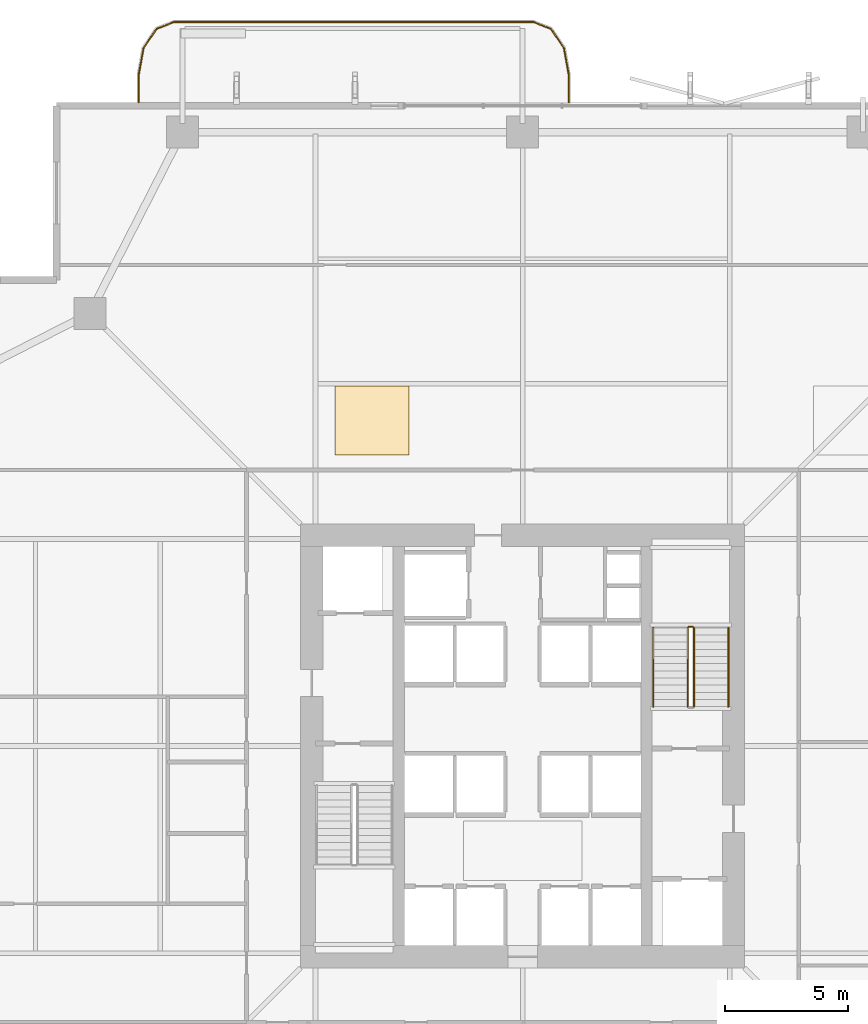
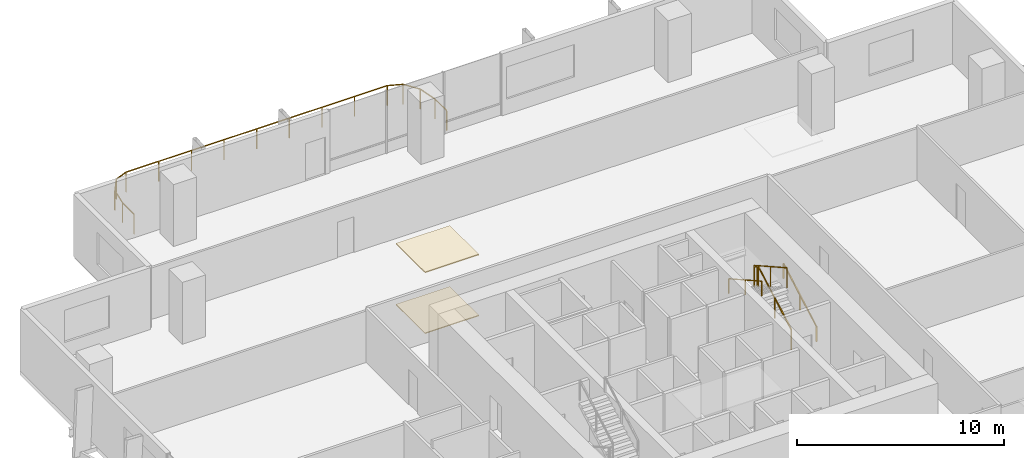
# One storey, part 23 of 24: 6 railings, 2 coverings.
"""IFC4 building model written with IfcOpenShell, lengths in metres."""

from ifc_helpers import new_model, si_unit, direction, frame, origin, origin_2d, place, context, subcontext, project, spatial, polyline, rectangle, outline, extrude, material, layer, layer_set, type_object, element, save


model = new_model("IFC4")

# Units and contexts
model_context = context("Model", 3, precision=1e-05, world=origin(), true_north=direction((0.0, 1.0)))
body_context = subcontext(model_context, "Body", "Model", "MODEL_VIEW")
ifc_project = project(units=[si_unit("LENGTHUNIT", "METRE"), si_unit("AREAUNIT", "SQUARE_METRE"), si_unit("VOLUMEUNIT", "CUBIC_METRE"), si_unit("PLANEANGLEUNIT", "RADIAN"), si_unit("MASSUNIT", "GRAM", prefix="KILO")], contexts=[model_context])

# Site, building, storey
site_placement = place(None, origin())
site = spatial("IfcSite", under=ifc_project, at=site_placement, CompositionType="ELEMENT")
building_placement = place(site_placement, origin())
building = spatial("IfcBuilding", under=site, at=building_placement, Name="Belovzor Exchange Tower", CompositionType="ELEMENT")
storey_placement = place(building_placement, frame((0.0, 0.0, 121.199951171875)))
storey = spatial("IfcBuildingStorey", under=building, at=storey_placement, Name="L29", CompositionType="ELEMENT", Elevation=121.199951171875)

# Railings
ifc_material_1 = material(Name="Stainless Steel Grade 304", Category="steel")
railing_type_1 = type_object("IfcRailingType", Name="Brushed Stainless Steel Stair Handrail 900", PredefinedType="HANDRAIL", material=ifc_material_1)
railing_1_placement = place(storey_placement, frame((37.14990234375, 30.39990234375, 0.16259765625)))
element("IfcRailing", 1, at=railing_1_placement, inside=storey, type_object=railing_type_1, Name="L29 ST-2 stair handrail 1", PredefinedType="HANDRAIL", context=body_context, shape_type="SweptSolid", body=[
    extrude(rectangle(XDim=0.048095703125, YDim=0.048095703125, at=origin_2d()), frame((0.0, 0.0, 0.8759765625), z_axis=(0.0, 0.872406949647, 0.488780230991), x_axis=(-1.0, 0.0, 0.0)), (0.0, 0.0, 1.0), 3.65673828125),
    extrude(rectangle(XDim=0.0419921875, YDim=0.0419921875, at=origin_2d()), origin(), (0.0, 0.0, 1.0), 0.851806640625),
    extrude(rectangle(XDim=0.0419921875, YDim=0.0419921875, at=origin_2d()), frame((0.0, 1.59521484375, 0.8935546875)), (0.0, 0.0, 1.0), 0.851806640625),
    extrude(rectangle(XDim=0.0419921875, YDim=0.0419921875, at=origin_2d()), frame((0.0, 3.190185546875, 1.787353515625)), (0.0, 0.0, 1.0), 0.851806640625),
])
railing_2_placement = place(storey_placement, frame((34.10009765625, 33.590087890625, 2.112548828125)))
element("IfcRailing", 2, at=railing_2_placement, inside=storey, type_object=railing_type_1, Name="L29 ST-2 stair handrail 2", PredefinedType="HANDRAIL", context=body_context, shape_type="SweptSolid", body=[
    extrude(rectangle(XDim=0.048095703125, YDim=0.048095703125, at=origin_2d()), frame((0.0, 0.0, 0.8759765625), z_axis=(0.0, -0.87237847985, 0.488831042279), x_axis=(1.0, 0.0, 0.0)), (0.0, 0.0, 1.0), 3.656982421875),
    extrude(rectangle(XDim=0.0419921875, YDim=0.0419921875, at=origin_2d()), origin(), (0.0, 0.0, 1.0), 0.851806640625),
    extrude(rectangle(XDim=0.0419921875, YDim=0.0419921875, at=origin_2d()), frame((0.0, -1.59521484375, 0.893798828125)), (0.0, 0.0, 1.0), 0.851806640625),
    extrude(rectangle(XDim=0.0419921875, YDim=0.0419921875, at=origin_2d()), frame((0.0, -3.190185546875, 1.78759765625)), (0.0, 0.0, 1.0), 0.851806640625),
])
ifc_material_2 = material(Name="Stainless Steel and Laminated Safety Glass", Category="steel")
railing_type_2 = type_object("IfcRailingType", Name="Laminated Glass & Stainless Steel Balcony Balustrade 1200", PredefinedType="BALUSTRADE", material=ifc_material_2)
railing_3_placement = place(storey_placement, frame((30.669921875, 54.909912109375, 0.0)))
element("IfcRailing", 3, at=railing_3_placement, inside=storey, type_object=railing_type_2, Name="GR-1 Balcony Balustrade L29 North", PredefinedType="BALUSTRADE", context=body_context, shape_type="SweptSolid", body=[
    extrude(rectangle(XDim=0.048095703125, YDim=0.048095703125, at=origin_2d()), frame((0.0, 0.0, 1.17578125), z_axis=(0.0, 1.0, 0.0), x_axis=(-1.0, 0.0, 0.0)), (0.0, 0.0, 1.0), 1.133056640625),
    extrude(rectangle(XDim=0.048095703125, YDim=0.048095703125, at=origin_2d()), frame((0.0, 1.133056640625, 1.17578125), z_axis=(-0.180122719713, 0.983644145941, 0.0), x_axis=(-0.983644145941, -0.180122719713, 0.0)), (0.0, 0.0, 1.0), 1.09375),
    extrude(rectangle(XDim=0.048095703125, YDim=0.048095703125, at=origin_2d()), frame((-0.197021484375, 2.208984375, 1.17578125), z_axis=(-0.562768145367, 0.826614792125, 0.0), x_axis=(-0.826614792125, -0.562768145367, 0.0)), (0.0, 0.0, 1.0), 0.9326171875),
    extrude(rectangle(XDim=0.048095703125, YDim=0.048095703125, at=origin_2d()), frame((-0.721923828125, 2.97998046875, 1.17578125), z_axis=(-0.930766990125, 0.365612923861, 0.0), x_axis=(-0.365612923861, -0.930766990125, 0.0)), (0.0, 0.0, 1.0), 0.765869140625),
    extrude(rectangle(XDim=0.048095703125, YDim=0.048095703125, at=origin_2d()), frame((-1.434814453125, 3.260009765625, 1.17578125), z_axis=(-1.0, 0.0, 0.0), x_axis=(0.0, -1.0, 0.0)), (0.0, 0.0, 1.0), 14.570068359375),
    extrude(rectangle(XDim=0.048095703125, YDim=0.048095703125, at=origin_2d()), frame((-16.0048828125, 3.260009765625, 1.17578125), z_axis=(-0.930809580156, -0.365504480807, 0.0), x_axis=(0.365504480807, -0.930809580156, 0.0)), (0.0, 0.0, 1.0), 0.76611328125),
    extrude(rectangle(XDim=0.048095703125, YDim=0.048095703125, at=origin_2d()), frame((-16.718017578125, 2.97998046875, 1.17578125), z_axis=(-0.562768145367, -0.826614792125, 0.0), x_axis=(0.826614792125, -0.562768145367, 0.0)), (0.0, 0.0, 1.0), 0.9326171875),
    extrude(rectangle(XDim=0.048095703125, YDim=0.048095703125, at=origin_2d()), frame((-17.242919921875, 2.208984375, 1.17578125), z_axis=(-0.180122719713, -0.983644145941, 0.0), x_axis=(0.983644145941, -0.180122719713, 0.0)), (0.0, 0.0, 1.0), 1.09375),
    extrude(rectangle(XDim=0.048095703125, YDim=0.048095703125, at=origin_2d()), frame((-17.43994140625, 1.133056640625, 1.17578125), z_axis=(0.0, -1.0, 0.0), x_axis=(1.0, 0.0, 0.0)), (0.0, 0.0, 1.0), 1.133056640625),
    extrude(rectangle(XDim=0.0419921875, YDim=0.0419921875, at=origin_2d()), origin(), (0.0, 0.0, 1.0), 1.15185546875),
    extrude(rectangle(XDim=0.0419921875, YDim=0.0419921875, at=origin_2d()), frame((0.0, 1.133056640625, 0.0)), (0.0, 0.0, 1.0), 1.15185546875),
    extrude(rectangle(XDim=0.0419921875, YDim=0.0419921875, at=origin_2d()), frame((-0.197021484375, 2.208984375, 0.0)), (0.0, 0.0, 1.0), 1.15185546875),
    extrude(rectangle(XDim=0.0419921875, YDim=0.0419921875, at=origin_2d()), frame((-0.721923828125, 2.97998046875, 0.0)), (0.0, 0.0, 1.0), 1.15185546875),
    extrude(rectangle(XDim=0.0419921875, YDim=0.0419921875, at=origin_2d()), frame((-1.434814453125, 3.260009765625, 0.0)), (0.0, 0.0, 1.0), 1.15185546875),
    extrude(rectangle(XDim=0.0419921875, YDim=0.0419921875, at=origin_2d()), frame((-3.256103515625, 3.260009765625, 0.0)), (0.0, 0.0, 1.0), 1.15185546875),
    extrude(rectangle(XDim=0.0419921875, YDim=0.0419921875, at=origin_2d()), frame((-5.077392578125, 3.260009765625, 0.0)), (0.0, 0.0, 1.0), 1.15185546875),
    extrude(rectangle(XDim=0.0419921875, YDim=0.0419921875, at=origin_2d()), frame((-6.898681640625, 3.260009765625, 0.0)), (0.0, 0.0, 1.0), 1.15185546875),
    extrude(rectangle(XDim=0.0419921875, YDim=0.0419921875, at=origin_2d()), frame((-8.7197265625, 3.260009765625, 0.0)), (0.0, 0.0, 1.0), 1.15185546875),
    extrude(rectangle(XDim=0.0419921875, YDim=0.0419921875, at=origin_2d()), frame((-10.541015625, 3.260009765625, 0.0)), (0.0, 0.0, 1.0), 1.15185546875),
    extrude(rectangle(XDim=0.0419921875, YDim=0.0419921875, at=origin_2d()), frame((-12.3623046875, 3.260009765625, 0.0)), (0.0, 0.0, 1.0), 1.15185546875),
    extrude(rectangle(XDim=0.0419921875, YDim=0.0419921875, at=origin_2d()), frame((-14.18359375, 3.260009765625, 0.0)), (0.0, 0.0, 1.0), 1.15185546875),
    extrude(rectangle(XDim=0.0419921875, YDim=0.0419921875, at=origin_2d()), frame((-16.0048828125, 3.260009765625, 0.0)), (0.0, 0.0, 1.0), 1.15185546875),
    extrude(rectangle(XDim=0.0419921875, YDim=0.0419921875, at=origin_2d()), frame((-16.718017578125, 2.97998046875, 0.0)), (0.0, 0.0, 1.0), 1.15185546875),
    extrude(rectangle(XDim=0.0419921875, YDim=0.0419921875, at=origin_2d()), frame((-17.242919921875, 2.208984375, 0.0)), (0.0, 0.0, 1.0), 1.15185546875),
    extrude(rectangle(XDim=0.0419921875, YDim=0.0419921875, at=origin_2d()), frame((-17.43994140625, 1.133056640625, 0.0)), (0.0, 0.0, 1.0), 1.15185546875),
    extrude(rectangle(XDim=0.0419921875, YDim=0.0419921875, at=origin_2d()), frame((-17.43994140625, 0.0, 0.0)), (0.0, 0.0, 1.0), 1.15185546875),
])
ifc_material_3 = material(Name="Steel S355", Category="steel")
railing_type_3 = type_object("IfcRailingType", Name="Painted Steel Stairwell Guardrail 1200", PredefinedType="GUARDRAIL", material=ifc_material_3)
railing_4_placement = place(storey_placement, frame((35.75, 30.39990234375, 0.16259765625)))
element("IfcRailing", 4, at=railing_4_placement, inside=storey, type_object=railing_type_3, Name="L29 ST-2 stair guard 1", PredefinedType="GUARDRAIL", context=body_context, shape_type="SweptSolid", body=[
    extrude(rectangle(XDim=0.048095703125, YDim=0.048095703125, at=origin_2d()), frame((0.0, 0.0, 1.17578125), z_axis=(0.0, 0.872406949647, 0.488780230991), x_axis=(-1.0, 0.0, 0.0)), (0.0, 0.0, 1.0), 3.65673828125),
    extrude(rectangle(XDim=0.0419921875, YDim=0.0419921875, at=origin_2d()), origin(), (0.0, 0.0, 1.0), 1.15185546875),
    extrude(rectangle(XDim=0.0419921875, YDim=0.0419921875, at=origin_2d()), frame((0.0, 1.59521484375, 0.8935546875)), (0.0, 0.0, 1.0), 1.15185546875),
    extrude(rectangle(XDim=0.0419921875, YDim=0.0419921875, at=origin_2d()), frame((0.0, 3.190185546875, 1.787353515625)), (0.0, 0.0, 1.0), 1.15185546875),
])
railing_5_placement = place(storey_placement, frame((35.699951171875, 33.639892578125, 1.949951171875)))
element("IfcRailing", 5, at=railing_5_placement, inside=storey, type_object=railing_type_3, Name="L29 ST-2 stair guard 2", PredefinedType="GUARDRAIL", context=body_context, shape_type="SweptSolid", body=[
    extrude(rectangle(XDim=0.048095703125, YDim=0.048095703125, at=origin_2d()), frame((0.0, 0.0, 1.17578125), z_axis=(-1.0, 0.0, 0.0), x_axis=(0.0, -1.0, 0.0)), (0.0, 0.0, 1.0), 0.14990234375),
    extrude(rectangle(XDim=0.0419921875, YDim=0.0419921875, at=origin_2d()), origin(), (0.0, 0.0, 1.0), 1.15185546875),
    extrude(rectangle(XDim=0.0419921875, YDim=0.0419921875, at=origin_2d()), frame((-0.14990234375, 0.0, 0.0)), (0.0, 0.0, 1.0), 1.15185546875),
])
railing_6_placement = place(storey_placement, frame((35.5, 33.590087890625, 2.112548828125)))
element("IfcRailing", 6, at=railing_6_placement, inside=storey, type_object=railing_type_3, Name="L29 ST-2 stair guard 3", PredefinedType="GUARDRAIL", context=body_context, shape_type="SweptSolid", body=[
    extrude(rectangle(XDim=0.048095703125, YDim=0.048095703125, at=origin_2d()), frame((0.0, 0.0, 1.17578125), z_axis=(0.0, -0.87237847985, 0.488831042279), x_axis=(1.0, 0.0, 0.0)), (0.0, 0.0, 1.0), 3.656982421875),
    extrude(rectangle(XDim=0.0419921875, YDim=0.0419921875, at=origin_2d()), origin(), (0.0, 0.0, 1.0), 1.15185546875),
    extrude(rectangle(XDim=0.0419921875, YDim=0.0419921875, at=origin_2d()), frame((0.0, -1.59521484375, 0.893798828125)), (0.0, 0.0, 1.0), 1.15185546875),
    extrude(rectangle(XDim=0.0419921875, YDim=0.0419921875, at=origin_2d()), frame((0.0, -3.190185546875, 1.78759765625)), (0.0, 0.0, 1.0), 1.15185546875),
])

# Coverings
ifc_material_4 = material(Name="Perforated Powder-Coated Aluminium", Category="aluminium")
ifc_layer_1 = layer(ifc_material_4, 0.06005859375)
ifc_layer_set_1 = layer_set([ifc_layer_1], Name="Perforated Powder-Coated Aluminium")
covering_type_1 = type_object("IfcCoveringType", Name="Perforated Acoustic Metal Tile Suspended Ceiling 60", PredefinedType="CEILING", material=ifc_layer_set_1)
covering_1_placement = place(storey_placement, frame((0.0, 0.0, 3.590087890625)))
element("IfcCovering", 7, at=covering_1_placement, inside=storey, type_object=covering_type_1, Name="CLG-AC60 Suspended Ceiling CLG-L29-Z3", PredefinedType="CEILING", context=body_context, shape_type="SweptSolid", body=[
    extrude(outline(polyline([(21.199951171875, 40.60009765625), (24.199951171875, 40.60009765625), (24.199951171875, 43.39990234375), (21.199951171875, 43.39990234375), (21.199951171875, 40.60009765625)])), origin(), (0.0, 0.0, 1.0), 0.06005859375),
])
ifc_material_5 = material(Name="Polished Natural Granite Tile", Category="masonry")
ifc_layer_2 = layer(ifc_material_5, 0.050048828125)
ifc_layer_set_2 = layer_set([ifc_layer_2], Name="Polished Natural Granite Tile")
covering_type_2 = type_object("IfcCoveringType", Name="Polished Karelian Granite & Raised Access Floor Finish 50", PredefinedType="FLOORING", material=ifc_layer_set_2)
covering_2_placement = place(storey_placement, origin())
element("IfcCovering", 8, at=covering_2_placement, inside=storey, type_object=covering_type_2, Name="FLR-GR50 Floor Finish FLR-L29-Z3", PredefinedType="FLOORING", context=body_context, shape_type="SweptSolid", body=[
    extrude(outline(polyline([(21.199951171875, 40.60009765625), (24.199951171875, 40.60009765625), (24.199951171875, 43.39990234375), (21.199951171875, 43.39990234375), (21.199951171875, 40.60009765625)])), origin(), (0.0, 0.0, 1.0), 0.050048828125),
])

save(model, "model.ifc")
